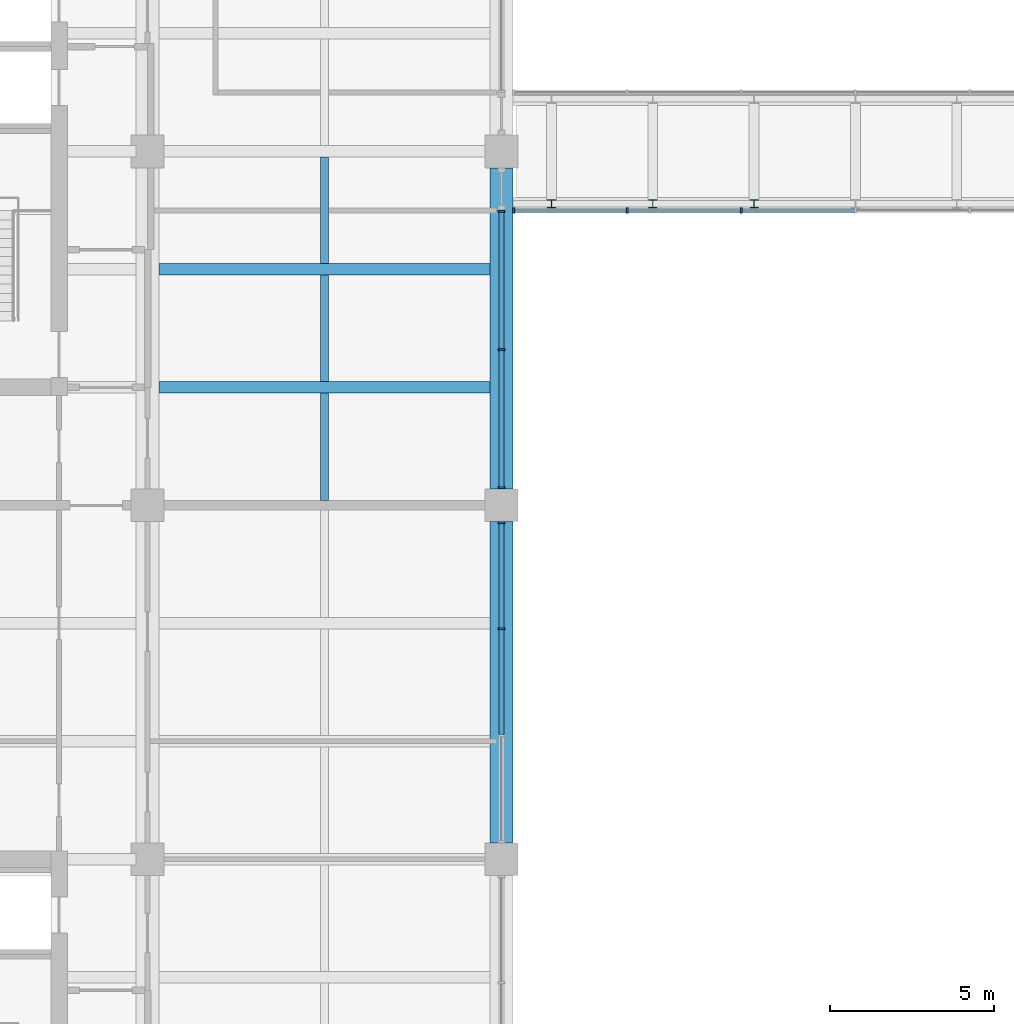
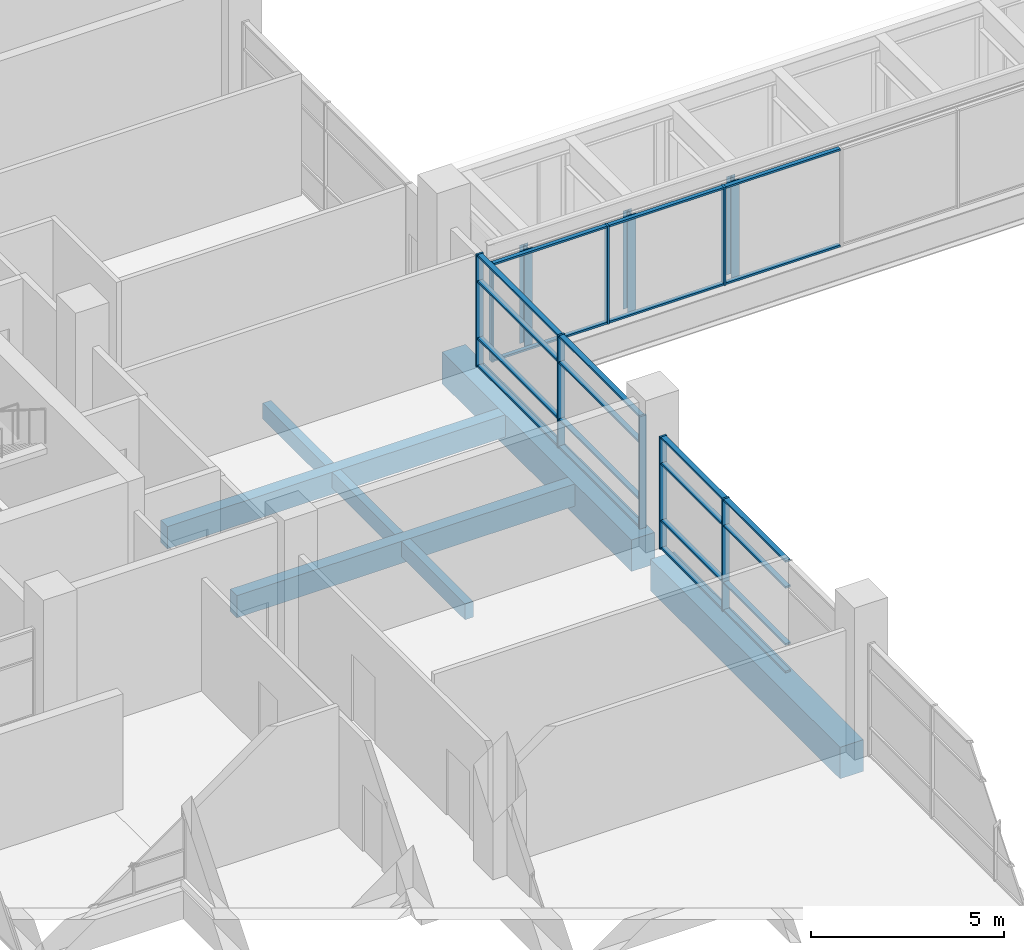
# One storey, part 4 of 35: 33 members, 7 beams, 3 elements without a shape of their own.
"""IFC4 building model written with IfcOpenShell, lengths in metres."""

from ifc_helpers import new_model, si_unit, direction, frame, origin, origin_2d, place, context, subcontext, project, spatial, rectangle, i_section, extrude, material, layer, layer_set, material_profile, profile_set, type_object, element, aggregate, save


model = new_model("IFC4")

# Units and contexts
model_context = context("Model", 3, precision=1e-05, world=origin(), true_north=direction((0.0, 1.0)))
body_context = subcontext(model_context, "Body", "Model", "MODEL_VIEW")
ifc_project = project(units=[si_unit("LENGTHUNIT", "METRE"), si_unit("AREAUNIT", "SQUARE_METRE"), si_unit("VOLUMEUNIT", "CUBIC_METRE"), si_unit("PLANEANGLEUNIT", "RADIAN"), si_unit("MASSUNIT", "GRAM", prefix="KILO")], contexts=[model_context])

# Site, building, storey
site_placement = place(None, origin())
site = spatial("IfcSite", under=ifc_project, at=site_placement, CompositionType="ELEMENT")
building_placement = place(site_placement, origin())
building = spatial("IfcBuilding", under=site, at=building_placement, Name="Basin Gate Institute", CompositionType="ELEMENT")
storey_placement = place(building_placement, frame((0.0, 0.0, 31.800048828125)))
storey = spatial("IfcBuildingStorey", under=building, at=storey_placement, Name="L06", CompositionType="ELEMENT", Elevation=31.800048828125)

# Curtain wall, members
ifc_material_1 = material(Name="Aluminium and glass curtain wall", Category="aluminium")
ifc_layer_1 = layer(ifc_material_1, 0.14990234375)
ifc_layer_set_1 = layer_set([ifc_layer_1], Name="Atrium curtain wall CW81")
curtain_wall_type_1 = type_object("IfcCurtainWallType", Name="Atrium curtain wall CW81", PredefinedType="NOTDEFINED", material=ifc_layer_set_1)
curtain_wall_1_placement = place(storey_placement, origin())
curtain_wall_1 = element("IfcCurtainWall", 1, at=curtain_wall_1_placement, inside=storey, type_object=curtain_wall_type_1, material=ifc_layer_set_1, Name="Bridge glazed enclosure L06 1", PredefinedType="NOTDEFINED")
ifc_material_2 = material(Name="Aluminium mullion", Category="aluminium")
ifc_material_profile_1 = material_profile(ifc_material_2, rectangle(XDim=0.159912109375, YDim=0.06005859375, at=origin_2d()), Name="Atrium mullion MU81 160 x 60")
ifc_profile_set_1 = profile_set([ifc_material_profile_1], Name="Aluminium mullion")
member_type_1 = type_object("IfcMemberType", Name="Atrium mullion MU81", PredefinedType="MULLION", material=ifc_profile_set_1)
member_1_placement = place(storey_placement, frame((79.580078125, 65.699951171875, 0.0), z_axis=(0.0, 0.0, 1.0), x_axis=(0.0, 1.0, 0.0)))
member_1 = element("IfcMember", 2, at=member_1_placement, type_object=member_type_1, material=ifc_profile_set_1, Name="CW81 mullion 1", PredefinedType="MULLION", context=body_context, shape_type="SweptSolid", body=[
    extrude(rectangle(XDim=0.159912109375, YDim=0.06005859375, at=origin_2d()), origin(), (0.0, 0.0, 1.0), 3.099853515625),
])
member_2_placement = place(storey_placement, frame((83.033447265625, 65.699951171875, 0.0), z_axis=(0.0, 0.0, 1.0), x_axis=(0.0, 1.0, 0.0)))
member_2 = element("IfcMember", 3, at=member_2_placement, type_object=member_type_1, material=ifc_profile_set_1, Name="CW81 mullion 2", PredefinedType="MULLION", context=body_context, shape_type="SweptSolid", body=[
    extrude(rectangle(XDim=0.159912109375, YDim=0.06005859375, at=origin_2d()), origin(), (0.0, 0.0, 1.0), 3.099853515625),
])
member_3_placement = place(storey_placement, frame((86.5166015625, 65.699951171875, 0.0), z_axis=(0.0, 0.0, 1.0), x_axis=(0.0, 1.0, 0.0)))
member_3 = element("IfcMember", 4, at=member_3_placement, type_object=member_type_1, material=ifc_profile_set_1, Name="CW81 mullion 3", PredefinedType="MULLION", context=body_context, shape_type="SweptSolid", body=[
    extrude(rectangle(XDim=0.159912109375, YDim=0.06005859375, at=origin_2d()), origin(), (0.0, 0.0, 1.0), 3.099853515625),
])
ifc_material_3 = material(Name="Aluminium transom", Category="aluminium")
ifc_material_profile_2 = material_profile(ifc_material_3, rectangle(XDim=0.1201171875, YDim=0.06005859375, at=origin_2d()), Name="Atrium transom TR81 120 x 60")
ifc_profile_set_2 = profile_set([ifc_material_profile_2], Name="Aluminium transom")
member_type_2 = type_object("IfcMemberType", Name="Atrium transom TR81", PredefinedType="USERDEFINED", material=ifc_profile_set_2)
member_4_placement = place(storey_placement, frame((79.610107421875, 65.699951171875, 0.030029296875), z_axis=(1.0, 0.0, 0.0), x_axis=(0.0, 1.0, 0.0)))
member_4 = element("IfcMember", 5, at=member_4_placement, type_object=member_type_2, material=ifc_profile_set_2, Name="CW81 transom 1.1", ObjectType="TRANSOM", PredefinedType="USERDEFINED", context=body_context, shape_type="SweptSolid", body=[
    extrude(rectangle(XDim=0.1201171875, YDim=0.06005859375, at=origin_2d()), origin(), (0.0, 0.0, 1.0), 3.393310546875),
])
member_5_placement = place(storey_placement, frame((79.610107421875, 65.699951171875, 3.070068359375), z_axis=(1.0, 0.0, 0.0), x_axis=(0.0, 1.0, 0.0)))
member_5 = element("IfcMember", 6, at=member_5_placement, type_object=member_type_2, material=ifc_profile_set_2, Name="CW81 transom 1.2", ObjectType="TRANSOM", PredefinedType="USERDEFINED", context=body_context, shape_type="SweptSolid", body=[
    extrude(rectangle(XDim=0.1201171875, YDim=0.06005859375, at=origin_2d()), origin(), (0.0, 0.0, 1.0), 3.393310546875),
])
member_6_placement = place(storey_placement, frame((83.063232421875, 65.699951171875, 0.030029296875), z_axis=(1.0, 0.0, 0.0), x_axis=(0.0, 1.0, 0.0)))
member_6 = element("IfcMember", 7, at=member_6_placement, type_object=member_type_2, material=ifc_profile_set_2, Name="CW81 transom 2.1", ObjectType="TRANSOM", PredefinedType="USERDEFINED", context=body_context, shape_type="SweptSolid", body=[
    extrude(rectangle(XDim=0.1201171875, YDim=0.06005859375, at=origin_2d()), origin(), (0.0, 0.0, 1.0), 3.42333984375),
])
member_7_placement = place(storey_placement, frame((83.063232421875, 65.699951171875, 3.070068359375), z_axis=(1.0, 0.0, 0.0), x_axis=(0.0, 1.0, 0.0)))
member_7 = element("IfcMember", 8, at=member_7_placement, type_object=member_type_2, material=ifc_profile_set_2, Name="CW81 transom 2.2", ObjectType="TRANSOM", PredefinedType="USERDEFINED", context=body_context, shape_type="SweptSolid", body=[
    extrude(rectangle(XDim=0.1201171875, YDim=0.06005859375, at=origin_2d()), origin(), (0.0, 0.0, 1.0), 3.42333984375),
])
member_8_placement = place(storey_placement, frame((86.546630859375, 65.699951171875, 0.030029296875), z_axis=(1.0, 0.0, 0.0), x_axis=(0.0, 1.0, 0.0)))
member_8 = element("IfcMember", 9, at=member_8_placement, type_object=member_type_2, material=ifc_profile_set_2, Name="CW81 transom 3.1", ObjectType="TRANSOM", PredefinedType="USERDEFINED", context=body_context, shape_type="SweptSolid", body=[
    extrude(rectangle(XDim=0.1201171875, YDim=0.06005859375, at=origin_2d()), origin(), (0.0, 0.0, 1.0), 3.42333984375),
])
member_9_placement = place(storey_placement, frame((86.546630859375, 65.699951171875, 3.070068359375), z_axis=(1.0, 0.0, 0.0), x_axis=(0.0, 1.0, 0.0)))
member_9 = element("IfcMember", 10, at=member_9_placement, type_object=member_type_2, material=ifc_profile_set_2, Name="CW81 transom 3.2", ObjectType="TRANSOM", PredefinedType="USERDEFINED", context=body_context, shape_type="SweptSolid", body=[
    extrude(rectangle(XDim=0.1201171875, YDim=0.06005859375, at=origin_2d()), origin(), (0.0, 0.0, 1.0), 3.42333984375),
])
aggregate(curtain_wall_1, [member_1, member_2, member_3, member_4, member_5, member_6, member_7, member_8, member_9])

# Beams
ifc_material_4 = material(Name="Concrete 40 MPa", Category="concrete")
ifc_material_profile_3 = material_profile(ifc_material_4, rectangle(XDim=0.35009765625, YDim=0.699951171875, at=origin_2d()), Name="Beam B1 350 x 700")
ifc_profile_set_3 = profile_set([ifc_material_profile_3], Name="Concrete 40 MPa")
beam_type_1 = type_object("IfcBeamType", Name="Beam B1 R120", PredefinedType="BEAM", material=ifc_profile_set_3)
for number, where, z_axis, x_axis, name in (
    (11, (68.75, 60.300048828125, -0.60009765625), (1.0, 0.0, 0.0), (0.0, 1.0, 0.0), "BEAM/L06/W/EW/08"),
    (12, (68.75, 63.89990234375, -0.60009765625), (1.0, 0.0, 0.0), (0.0, 1.0, 0.0), "BEAM/L06/W/EW/09"),
):
    element("IfcBeam", number, at=place(storey_placement, frame(where, z_axis=z_axis, x_axis=x_axis)), inside=storey, type_object=beam_type_1, material=ifc_profile_set_3, Name=name, PredefinedType="BEAM", context=body_context, shape_type="SweptSolid", body=[
        extrude(rectangle(XDim=0.35009765625, YDim=0.699951171875, at=origin_2d()), origin(), (0.0, 0.0, 1.0), 10.10009765625),
    ])

# Members
ifc_material_5 = material(Name="Structural steel SN490", Category="steel")
ifc_material_profile_4 = material_profile(ifc_material_5, i_section(OverallWidth=0.25, OverallDepth=0.25, WebThickness=0.009033203125, FlangeThickness=0.013916015625, FilletRadius=0.01611328125, at=origin_2d()), Name="H250x250")
ifc_profile_set_4 = profile_set([ifc_material_profile_4], Name="Structural steel SN490")
member_type_3 = type_object("IfcMemberType", Name="Bridge post TC3 R120", PredefinedType="POST", material=ifc_profile_set_4)
for number, where, z_axis, x_axis, name in (
    (13, (80.72509765625, 65.89990234375, 0.0), (0.0, 0.0, 1.0), (1.0, 0.0, 0.0), "Bridge post R120 L06 1.1"),
    (14, (83.816650390625, 65.89990234375, 0.0), (0.0, 0.0, 1.0), (1.0, 0.0, 0.0), "Bridge post R120 L06 1.2"),
    (15, (86.908447265625, 65.89990234375, 0.0), (0.0, 0.0, 1.0), (1.0, 0.0, 0.0), "Bridge post R120 L06 1.3"),
):
    element("IfcMember", number, at=place(storey_placement, frame(where, z_axis=z_axis, x_axis=x_axis)), inside=storey, type_object=member_type_3, material=ifc_profile_set_4, Name=name, PredefinedType="POST", context=body_context, shape_type="SweptSolid", body=[
        extrude(i_section(OverallWidth=0.25, OverallDepth=0.25, WebThickness=0.009033203125, FlangeThickness=0.013916015625, FilletRadius=0.01611328125, at=origin_2d()), origin(), (0.0, 0.0, 1.0), 3.099853515625),
    ])

# Beams
ifc_material_6 = material(Name="Concrete 50 MPa", Category="concrete")
ifc_material_profile_5 = material_profile(ifc_material_6, rectangle(XDim=0.699951171875, YDim=1.0, at=origin_2d()), Name="Girder G1 700 x 1000")
ifc_profile_set_5 = profile_set([ifc_material_profile_5], Name="Concrete 50 MPa")
beam_type_2 = type_object("IfcBeamType", Name="Girder G1 R120", PredefinedType="BEAM", material=ifc_profile_set_5)
for number, where, z_axis, x_axis, name in (
    (16, (79.199951171875, 46.39990234375, -0.75), (0.0, 1.0, 0.0), (-1.0, 0.0, 0.0), "GIR/L06/W6/2"),
    (17, (79.199951171875, 57.199951171875, -0.75), (0.0, 1.0, 0.0), (-1.0, 0.0, 0.0), "GIR/L06/W6/3"),
):
    element("IfcBeam", number, at=place(storey_placement, frame(where, z_axis=z_axis, x_axis=x_axis)), inside=storey, type_object=beam_type_2, material=ifc_profile_set_5, Name=name, PredefinedType="BEAM", context=body_context, shape_type="SweptSolid", body=[
        extrude(rectangle(XDim=0.699951171875, YDim=1.0, at=origin_2d()), origin(), (0.0, 0.0, 1.0), 9.800048828125),
    ])

# Curtain wall, members
ifc_material_7 = material(Name="Aluminium-framed glazing", Category="aluminium")
ifc_layer_2 = layer(ifc_material_7, 0.199951171875)
ifc_layer_set_2 = layer_set([ifc_layer_2], Name="Atrium curtain wall CW2")
curtain_wall_type_2 = type_object("IfcCurtainWallType", Name="Atrium curtain wall CW2", PredefinedType="NOTDEFINED", material=ifc_layer_set_2)
curtain_wall_2_placement = place(storey_placement, origin())
curtain_wall_2 = element("IfcCurtainWall", 18, at=curtain_wall_2_placement, inside=storey, type_object=curtain_wall_type_2, material=ifc_layer_set_2, Name="Atrium curtain wall W wing atrium bay 2 L06", PredefinedType="NOTDEFINED")
ifc_material_8 = material(Name="Aluminium", Category="aluminium")
ifc_material_profile_6 = material_profile(ifc_material_8, rectangle(XDim=0.199951171875, YDim=0.06005859375, at=origin_2d()), Name="Mullion MU2 200 x 60")
ifc_profile_set_6 = profile_set([ifc_material_profile_6], Name="Aluminium")
member_type_4 = type_object("IfcMemberType", Name="Mullion MU2", PredefinedType="MULLION", material=ifc_profile_set_6)
member_10_placement = place(storey_placement, frame((79.199951171875, 52.933349609375, 0.0), z_axis=(0.0, 0.0, 1.0), x_axis=(-1.0, 0.0, 0.0)))
member_10 = element("IfcMember", 19, at=member_10_placement, type_object=member_type_4, material=ifc_profile_set_6, Name="CW2 mullion 3", PredefinedType="MULLION", context=body_context, shape_type="SweptSolid", body=[
    extrude(rectangle(XDim=0.199951171875, YDim=0.06005859375, at=origin_2d()), origin(), (0.0, 0.0, 1.0), 3.550048828125),
])
member_11_placement = place(storey_placement, frame((79.199951171875, 56.169921875, 0.0), z_axis=(0.0, 0.0, 1.0), x_axis=(-1.0, 0.0, 0.0)))
member_11 = element("IfcMember", 20, at=member_11_placement, type_object=member_type_4, material=ifc_profile_set_6, Name="CW2 mullion 4", PredefinedType="MULLION", context=body_context, shape_type="SweptSolid", body=[
    extrude(rectangle(XDim=0.199951171875, YDim=0.06005859375, at=origin_2d()), origin(), (0.0, 0.0, 1.0), 3.550048828125),
])

curtain_wall_3_placement = place(storey_placement, origin())
curtain_wall_3 = element("IfcCurtainWall", 21, at=curtain_wall_3_placement, inside=storey, type_object=curtain_wall_type_2, material=ifc_layer_set_2, Name="Atrium curtain wall W wing atrium bay 3 L06 part 1", PredefinedType="NOTDEFINED")
member_12_placement = place(storey_placement, frame((79.199951171875, 57.22998046875, 0.0), z_axis=(0.0, 0.0, 1.0), x_axis=(-1.0, 0.0, 0.0)))
member_12 = element("IfcMember", 22, at=member_12_placement, type_object=member_type_4, material=ifc_profile_set_6, Name="CW2 mullion 1", PredefinedType="MULLION", context=body_context, shape_type="SweptSolid", body=[
    extrude(rectangle(XDim=0.199951171875, YDim=0.06005859375, at=origin_2d()), origin(), (0.0, 0.0, 1.0), 3.550048828125),
])
member_13_placement = place(storey_placement, frame((79.199951171875, 61.449951171875, 0.0), z_axis=(0.0, 0.0, 1.0), x_axis=(-1.0, 0.0, 0.0)))
member_13 = element("IfcMember", 23, at=member_13_placement, type_object=member_type_4, material=ifc_profile_set_6, Name="CW2 mullion 2", PredefinedType="MULLION", context=body_context, shape_type="SweptSolid", body=[
    extrude(rectangle(XDim=0.199951171875, YDim=0.06005859375, at=origin_2d()), origin(), (0.0, 0.0, 1.0), 3.550048828125),
])
member_14_placement = place(storey_placement, frame((79.199951171875, 65.669921875, 0.0), z_axis=(0.0, 0.0, 1.0), x_axis=(-1.0, 0.0, 0.0)))
member_14 = element("IfcMember", 24, at=member_14_placement, type_object=member_type_4, material=ifc_profile_set_6, Name="CW2 mullion 3", PredefinedType="MULLION", context=body_context, shape_type="SweptSolid", body=[
    extrude(rectangle(XDim=0.199951171875, YDim=0.06005859375, at=origin_2d()), origin(), (0.0, 0.0, 1.0), 3.550048828125),
])

# Beams
ifc_material_9 = material(Name="Concrete 40 MPa", Category="concrete")
ifc_material_profile_7 = material_profile(ifc_material_9, rectangle(XDim=0.25, YDim=0.5, at=origin_2d()), Name="Rib R1 250 x 500")
ifc_profile_set_7 = profile_set([ifc_material_profile_7], Name="Concrete 40 MPa")
beam_type_3 = type_object("IfcBeamType", Name="Rib R1 R120", PredefinedType="JOIST", material=ifc_profile_set_7)
beam_placement = place(storey_placement, frame((73.800048828125, 56.85009765625, -0.5), z_axis=(0.0, 1.0, 0.0), x_axis=(-1.0, 0.0, 0.0)))
element("IfcBeam", 25, at=beam_placement, inside=storey, type_object=beam_type_3, material=ifc_profile_set_7, Name="BEAM/L06/W/RIB/07", PredefinedType="JOIST", context=body_context, shape_type="SweptSolid", body=[
    extrude(rectangle(XDim=0.25, YDim=0.5, at=origin_2d()), origin(), (0.0, 0.0, 1.0), 3.27490234375),
])
for number, where, z_axis, x_axis, name in (
    (26, (73.800048828125, 60.47509765625, -0.5), (0.0, 1.0, 0.0), (-1.0, 0.0, 0.0), "BEAM/L06/W/RIB/08"),
    (27, (73.800048828125, 64.074951171875, -0.5), (0.0, 1.0, 0.0), (-1.0, 0.0, 0.0), "BEAM/L06/W/RIB/09"),
):
    element("IfcBeam", number, at=place(storey_placement, frame(where, z_axis=z_axis, x_axis=x_axis)), inside=storey, type_object=beam_type_3, material=ifc_profile_set_7, Name=name, PredefinedType="JOIST", context=body_context, shape_type="SweptSolid", body=[
        extrude(rectangle(XDim=0.25, YDim=0.5, at=origin_2d()), origin(), (0.0, 0.0, 1.0), 3.25),
    ])

# Member
ifc_material_10 = material(Name="Aluminium", Category="aluminium")
ifc_material_profile_8 = material_profile(ifc_material_10, rectangle(XDim=0.14990234375, YDim=0.06005859375, at=origin_2d()), Name="Transom TR2 150 x 60")
ifc_profile_set_8 = profile_set([ifc_material_profile_8], Name="Aluminium")
member_type_5 = type_object("IfcMemberType", Name="Transom TR2", PredefinedType="USERDEFINED", material=ifc_profile_set_8)
member_15_placement = place(storey_placement, frame((79.199951171875, 49.69677734375, 0.030029296875), z_axis=(0.0, 1.0, 0.0), x_axis=(-1.0, 0.0, 0.0)))
member_15 = element("IfcMember", 28, at=member_15_placement, type_object=member_type_5, material=ifc_profile_set_8, Name="CW2 transom 2.1", ObjectType="TRANSOM", PredefinedType="USERDEFINED", context=body_context, shape_type="SweptSolid", body=[
    extrude(rectangle(XDim=0.14990234375, YDim=0.06005859375, at=origin_2d()), origin(), (0.0, 0.0, 1.0), 3.20654296875),
])

member_16_placement = place(storey_placement, frame((79.199951171875, 49.69677734375, 0.89990234375), z_axis=(0.0, 1.0, 0.0), x_axis=(-1.0, 0.0, 0.0)))
member_16 = element("IfcMember", 29, at=member_16_placement, type_object=member_type_5, material=ifc_profile_set_8, Name="CW2 transom 2.2", ObjectType="TRANSOM", PredefinedType="USERDEFINED", context=body_context, shape_type="SweptSolid", body=[
    extrude(rectangle(XDim=0.14990234375, YDim=0.06005859375, at=origin_2d()), origin(), (0.0, 0.0, 1.0), 3.20654296875),
])

member_17_placement = place(storey_placement, frame((79.199951171875, 49.69677734375, 2.699951171875), z_axis=(0.0, 1.0, 0.0), x_axis=(-1.0, 0.0, 0.0)))
member_17 = element("IfcMember", 30, at=member_17_placement, type_object=member_type_5, material=ifc_profile_set_8, Name="CW2 transom 2.3", ObjectType="TRANSOM", PredefinedType="USERDEFINED", context=body_context, shape_type="SweptSolid", body=[
    extrude(rectangle(XDim=0.14990234375, YDim=0.06005859375, at=origin_2d()), origin(), (0.0, 0.0, 1.0), 3.20654296875),
])

member_18_placement = place(storey_placement, frame((79.199951171875, 49.69677734375, 3.52001953125), z_axis=(0.0, 1.0, 0.0), x_axis=(-1.0, 0.0, 0.0)))
member_18 = element("IfcMember", 31, at=member_18_placement, type_object=member_type_5, material=ifc_profile_set_8, Name="CW2 transom 2.4", ObjectType="TRANSOM", PredefinedType="USERDEFINED", context=body_context, shape_type="SweptSolid", body=[
    extrude(rectangle(XDim=0.14990234375, YDim=0.06005859375, at=origin_2d()), origin(), (0.0, 0.0, 1.0), 3.20654296875),
])

member_19_placement = place(storey_placement, frame((79.199951171875, 52.96337890625, 0.030029296875), z_axis=(0.0, 1.0, 0.0), x_axis=(-1.0, 0.0, 0.0)))
member_19 = element("IfcMember", 32, at=member_19_placement, type_object=member_type_5, material=ifc_profile_set_8, Name="CW2 transom 3.1", ObjectType="TRANSOM", PredefinedType="USERDEFINED", context=body_context, shape_type="SweptSolid", body=[
    extrude(rectangle(XDim=0.14990234375, YDim=0.06005859375, at=origin_2d()), origin(), (0.0, 0.0, 1.0), 3.176513671875),
])

member_20_placement = place(storey_placement, frame((79.199951171875, 52.96337890625, 0.89990234375), z_axis=(0.0, 1.0, 0.0), x_axis=(-1.0, 0.0, 0.0)))
member_20 = element("IfcMember", 33, at=member_20_placement, type_object=member_type_5, material=ifc_profile_set_8, Name="CW2 transom 3.2", ObjectType="TRANSOM", PredefinedType="USERDEFINED", context=body_context, shape_type="SweptSolid", body=[
    extrude(rectangle(XDim=0.14990234375, YDim=0.06005859375, at=origin_2d()), origin(), (0.0, 0.0, 1.0), 3.176513671875),
])

member_21_placement = place(storey_placement, frame((79.199951171875, 52.96337890625, 2.699951171875), z_axis=(0.0, 1.0, 0.0), x_axis=(-1.0, 0.0, 0.0)))
member_21 = element("IfcMember", 34, at=member_21_placement, type_object=member_type_5, material=ifc_profile_set_8, Name="CW2 transom 3.3", ObjectType="TRANSOM", PredefinedType="USERDEFINED", context=body_context, shape_type="SweptSolid", body=[
    extrude(rectangle(XDim=0.14990234375, YDim=0.06005859375, at=origin_2d()), origin(), (0.0, 0.0, 1.0), 3.176513671875),
])

member_22_placement = place(storey_placement, frame((79.199951171875, 52.96337890625, 3.52001953125), z_axis=(0.0, 1.0, 0.0), x_axis=(-1.0, 0.0, 0.0)))
member_22 = element("IfcMember", 35, at=member_22_placement, type_object=member_type_5, material=ifc_profile_set_8, Name="CW2 transom 3.4", ObjectType="TRANSOM", PredefinedType="USERDEFINED", context=body_context, shape_type="SweptSolid", body=[
    extrude(rectangle(XDim=0.14990234375, YDim=0.06005859375, at=origin_2d()), origin(), (0.0, 0.0, 1.0), 3.176513671875),
])

aggregate(curtain_wall_2, [member_10, member_11, member_15, member_16, member_17, member_18, member_19, member_20, member_21, member_22])

member_23_placement = place(storey_placement, frame((79.199951171875, 57.260009765625, 0.030029296875), z_axis=(0.0, 1.0, 0.0), x_axis=(-1.0, 0.0, 0.0)))
member_23 = element("IfcMember", 36, at=member_23_placement, type_object=member_type_5, material=ifc_profile_set_8, Name="CW2 transom 1.1", ObjectType="TRANSOM", PredefinedType="USERDEFINED", context=body_context, shape_type="SweptSolid", body=[
    extrude(rectangle(XDim=0.14990234375, YDim=0.06005859375, at=origin_2d()), origin(), (0.0, 0.0, 1.0), 4.159912109375),
])

member_24_placement = place(storey_placement, frame((79.199951171875, 57.260009765625, 0.89990234375), z_axis=(0.0, 1.0, 0.0), x_axis=(-1.0, 0.0, 0.0)))
member_24 = element("IfcMember", 37, at=member_24_placement, type_object=member_type_5, material=ifc_profile_set_8, Name="CW2 transom 1.2", ObjectType="TRANSOM", PredefinedType="USERDEFINED", context=body_context, shape_type="SweptSolid", body=[
    extrude(rectangle(XDim=0.14990234375, YDim=0.06005859375, at=origin_2d()), origin(), (0.0, 0.0, 1.0), 4.159912109375),
])

member_25_placement = place(storey_placement, frame((79.199951171875, 57.260009765625, 2.699951171875), z_axis=(0.0, 1.0, 0.0), x_axis=(-1.0, 0.0, 0.0)))
member_25 = element("IfcMember", 38, at=member_25_placement, type_object=member_type_5, material=ifc_profile_set_8, Name="CW2 transom 1.3", ObjectType="TRANSOM", PredefinedType="USERDEFINED", context=body_context, shape_type="SweptSolid", body=[
    extrude(rectangle(XDim=0.14990234375, YDim=0.06005859375, at=origin_2d()), origin(), (0.0, 0.0, 1.0), 4.159912109375),
])

member_26_placement = place(storey_placement, frame((79.199951171875, 57.260009765625, 3.52001953125), z_axis=(0.0, 1.0, 0.0), x_axis=(-1.0, 0.0, 0.0)))
member_26 = element("IfcMember", 39, at=member_26_placement, type_object=member_type_5, material=ifc_profile_set_8, Name="CW2 transom 1.4", ObjectType="TRANSOM", PredefinedType="USERDEFINED", context=body_context, shape_type="SweptSolid", body=[
    extrude(rectangle(XDim=0.14990234375, YDim=0.06005859375, at=origin_2d()), origin(), (0.0, 0.0, 1.0), 4.159912109375),
])

member_27_placement = place(storey_placement, frame((79.199951171875, 61.47998046875, 0.030029296875), z_axis=(0.0, 1.0, 0.0), x_axis=(-1.0, 0.0, 0.0)))
member_27 = element("IfcMember", 40, at=member_27_placement, type_object=member_type_5, material=ifc_profile_set_8, Name="CW2 transom 2.1", ObjectType="TRANSOM", PredefinedType="USERDEFINED", context=body_context, shape_type="SweptSolid", body=[
    extrude(rectangle(XDim=0.14990234375, YDim=0.06005859375, at=origin_2d()), origin(), (0.0, 0.0, 1.0), 4.159912109375),
])

member_28_placement = place(storey_placement, frame((79.199951171875, 61.47998046875, 0.89990234375), z_axis=(0.0, 1.0, 0.0), x_axis=(-1.0, 0.0, 0.0)))
member_28 = element("IfcMember", 41, at=member_28_placement, type_object=member_type_5, material=ifc_profile_set_8, Name="CW2 transom 2.2", ObjectType="TRANSOM", PredefinedType="USERDEFINED", context=body_context, shape_type="SweptSolid", body=[
    extrude(rectangle(XDim=0.14990234375, YDim=0.06005859375, at=origin_2d()), origin(), (0.0, 0.0, 1.0), 4.159912109375),
])

member_29_placement = place(storey_placement, frame((79.199951171875, 61.47998046875, 2.699951171875), z_axis=(0.0, 1.0, 0.0), x_axis=(-1.0, 0.0, 0.0)))
member_29 = element("IfcMember", 42, at=member_29_placement, type_object=member_type_5, material=ifc_profile_set_8, Name="CW2 transom 2.3", ObjectType="TRANSOM", PredefinedType="USERDEFINED", context=body_context, shape_type="SweptSolid", body=[
    extrude(rectangle(XDim=0.14990234375, YDim=0.06005859375, at=origin_2d()), origin(), (0.0, 0.0, 1.0), 4.159912109375),
])

member_30_placement = place(storey_placement, frame((79.199951171875, 61.47998046875, 3.52001953125), z_axis=(0.0, 1.0, 0.0), x_axis=(-1.0, 0.0, 0.0)))
member_30 = element("IfcMember", 43, at=member_30_placement, type_object=member_type_5, material=ifc_profile_set_8, Name="CW2 transom 2.4", ObjectType="TRANSOM", PredefinedType="USERDEFINED", context=body_context, shape_type="SweptSolid", body=[
    extrude(rectangle(XDim=0.14990234375, YDim=0.06005859375, at=origin_2d()), origin(), (0.0, 0.0, 1.0), 4.159912109375),
])

aggregate(curtain_wall_3, [member_12, member_13, member_14, member_23, member_24, member_25, member_26, member_27, member_28, member_29, member_30])

save(model, "model.ifc")
